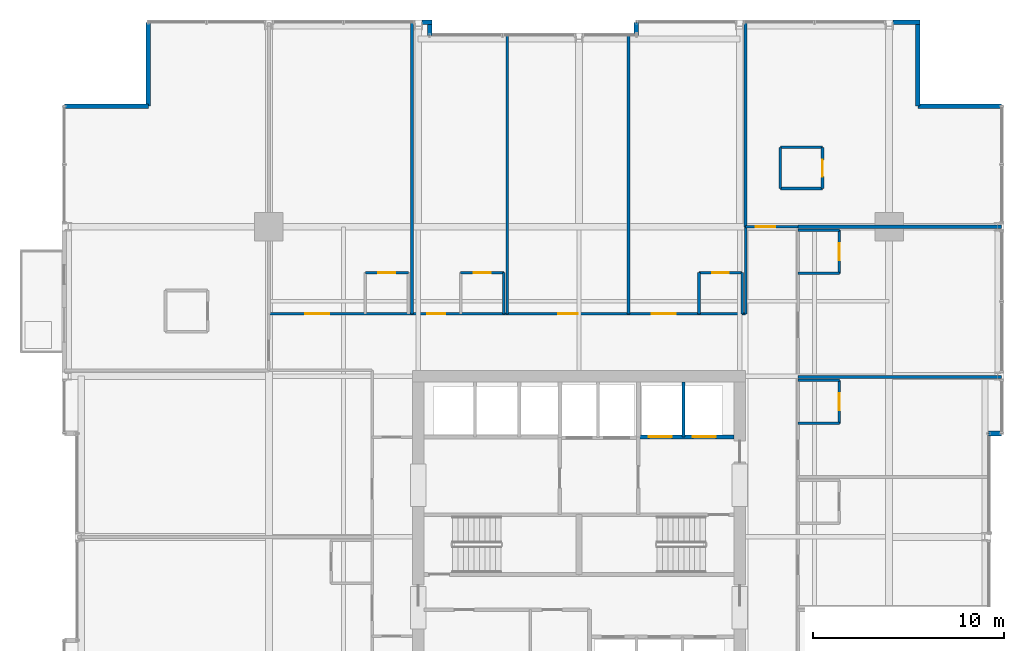
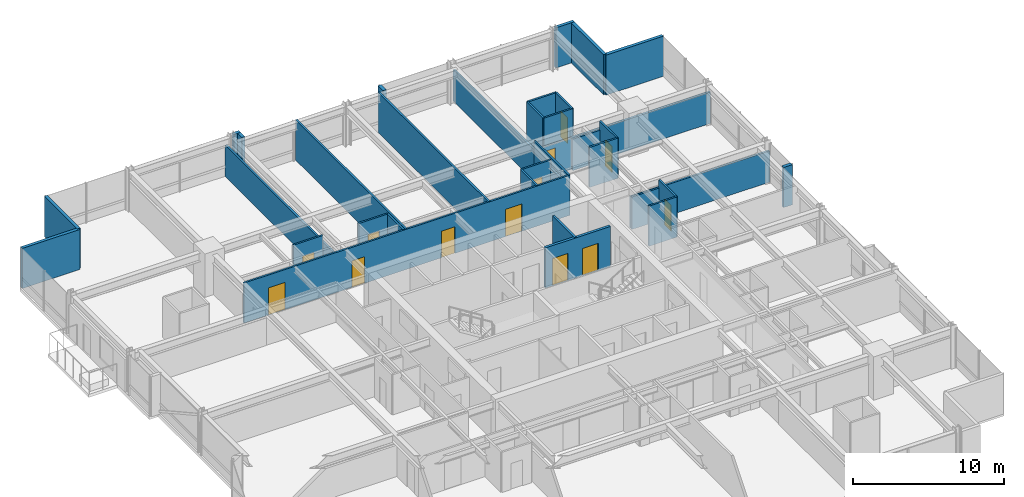
# One storey, part 31 of 35: 36 walls, 13 doors, 13 openings.
"""IFC4 building model written with IfcOpenShell, lengths in metres."""

from ifc_helpers import new_model, si_unit, direction, frame, frame_2d, origin, place, context, subcontext, project, spatial, rectangle, extrude, material, layer, layer_set, type_object, element, fill, save


model = new_model("IFC4")

# Units and contexts
model_context = context("Model", 3, precision=1e-05, world=origin(), true_north=direction((0.0, 1.0)))
body_context = subcontext(model_context, "Body", "Model", "MODEL_VIEW")
ifc_project = project(units=[si_unit("LENGTHUNIT", "METRE"), si_unit("AREAUNIT", "SQUARE_METRE"), si_unit("VOLUMEUNIT", "CUBIC_METRE"), si_unit("PLANEANGLEUNIT", "RADIAN"), si_unit("MASSUNIT", "GRAM", prefix="KILO")], contexts=[model_context])

# Site, building, storey
site_placement = place(None, origin())
site = spatial("IfcSite", under=ifc_project, at=site_placement, CompositionType="ELEMENT")
building_placement = place(site_placement, origin())
building = spatial("IfcBuilding", under=site, at=building_placement, Name="Drelvath Grand Hotel", CompositionType="ELEMENT")
storey_placement = place(building_placement, frame((0.0, 0.0, 123.300048828125)))
storey = spatial("IfcBuildingStorey", under=building, at=storey_placement, Name="L31", CompositionType="ELEMENT", Elevation=123.300048828125)

# Wall, openings, doors
ifc_material_1 = material(Name="Concrete C40/50", Category="concrete")
ifc_layer_1 = layer(ifc_material_1, 0.199951171875)
ifc_layer_set_1 = layer_set([ifc_layer_1], Name="Concrete C40/50")
wall_type_1 = type_object("IfcWallType", Name="Core Hoistway Fire Wall 200", PredefinedType="SOLIDWALL", material=ifc_layer_set_1)
wall_1_placement = place(storey_placement, frame((3.10009765625, 32.219970703125, 0.0), z_axis=(0.0, 0.0, 1.0), x_axis=(1.0, 0.0, 0.0)))
wall_1 = element("IfcWall", 1, at=wall_1_placement, inside=storey, type_object=wall_type_1, Name="L31 FSAE Hoistway Front Wall", PredefinedType="SOLIDWALL", context=body_context, shape_type="SweptSolid", body=[
    extrude(rectangle(XDim=5.0, YDim=0.199951171875, at=frame_2d((2.5, 0.0))), origin(), (0.0, 0.0, 1.0), 3.239990234375),
])
opening_1_placement = place(wall_1_placement, frame((0.550048828125, 0.0, 0.0)))
opening_1 = element("IfcOpeningElement", 2, at=opening_1_placement, cuts=wall_1, Name="Opening LD-FSAE-1", PredefinedType="OPENING", context=body_context, shape_type="SweptSolid", body=[
    extrude(rectangle(XDim=1.199951171875, YDim=2.199951171875, at=frame_2d((0.60009765625, 1.10009765625))), frame((0.0, 0.10986328125, 0.0), z_axis=(0.0, -1.0, 0.0), x_axis=(1.0, 0.0, 0.0)), (0.0, 0.0, 1.0), 0.219970703125),
])
opening_2_placement = place(wall_1_placement, frame((2.85009765625, 0.0, 0.0)))
opening_2 = element("IfcOpeningElement", 3, at=opening_2_placement, cuts=wall_1, Name="Opening LD-FSAE-2", PredefinedType="OPENING", context=body_context, shape_type="SweptSolid", body=[
    extrude(rectangle(XDim=1.199951171875, YDim=2.199951171875, at=frame_2d((0.60009765625, 1.10009765625))), frame((0.0, 0.10986328125, 0.0), z_axis=(0.0, -1.0, 0.0), x_axis=(1.0, 0.0, 0.0)), (0.0, 0.0, 1.0), 0.219970703125),
])
ifc_material_2 = material(Name="Stainless Steel S355", Category="steel")
door_type_1 = type_object("IfcDoorType", Name="FSAE Lift Sliding Landing Door 1200x2200", OperationType="NOTDEFINED", PredefinedType="DOOR", material=ifc_material_2)
door_1_placement = place(opening_1_placement, origin())
door_1 = element("IfcDoor", 4, at=door_1_placement, inside=storey, type_object=door_type_1, Name="L31 Lift FSAE-1 Landing Door", OperationType="SLIDING_TO_LEFT", OverallHeight=2.199951171875, OverallWidth=1.199951171875, PredefinedType="DOOR", context=body_context, shape_type="SweptSolid", body=[
    extrude(rectangle(XDim=1.199951171875, YDim=2.199951171875, at=frame_2d((0.60009765625, 1.10009765625))), frame((0.0, 0.02490234375, 0.0), z_axis=(0.0, -1.0, 0.0), x_axis=(1.0, 0.0, 0.0)), (0.0, 0.0, 1.0), 0.050048828125),
])
fill(opening_1, door_1)
door_2_placement = place(opening_2_placement, origin())
door_2 = element("IfcDoor", 5, at=door_2_placement, inside=storey, type_object=door_type_1, Name="L31 Lift FSAE-2 Landing Door", OperationType="SLIDING_TO_LEFT", OverallHeight=2.199951171875, OverallWidth=1.199951171875, PredefinedType="DOOR", context=body_context, shape_type="SweptSolid", body=[
    extrude(rectangle(XDim=1.199951171875, YDim=2.199951171875, at=frame_2d((0.60009765625, 1.10009765625))), frame((0.0, 0.02490234375, 0.0), z_axis=(0.0, -1.0, 0.0), x_axis=(1.0, 0.0, 0.0)), (0.0, 0.0, 1.0), 0.050048828125),
])
fill(opening_2, door_2)

# Walls
ifc_material_3 = material(Name="Gypsum Fireboard Partition")
ifc_layer_2 = layer(ifc_material_3, 0.1650390625)
ifc_layer_set_2 = layer_set([ifc_layer_2], Name="Gypsum Fireboard Partition")
wall_type_2 = type_object("IfcWallType", Name="Core Shaft Partition 165", PredefinedType="PARTITIONING", material=ifc_layer_set_2)
wall_2_placement = place(storey_placement, frame((5.449951171875, 32.219970703125, 0.0), z_axis=(0.0, 0.0, 1.0), x_axis=(0.0, 1.0, 0.0)))
element("IfcWall", 6, at=wall_2_placement, inside=storey, type_object=wall_type_2, Name="L31 FSAE Hoistway Divider", PredefinedType="PARTITIONING", context=body_context, shape_type="SweptSolid", body=[
    extrude(rectangle(XDim=2.880126953125, YDim=0.1650390625, at=frame_2d((1.43994140625, 0.0))), origin(), (0.0, 0.0, 1.0), 3.239990234375),
])
ifc_layer_3 = layer(ifc_material_3, 0.135009765625)
ifc_layer_set_3 = layer_set([ifc_layer_3], Name="Gypsum Fireboard Partition")
wall_type_3 = type_object("IfcWallType", Name="Corridor Fire Barrier Wall 135", PredefinedType="PARTITIONING", material=ifc_layer_set_3)
wall_3_placement = place(storey_placement, frame((8.699951171875, 38.64990234375, 0.0), z_axis=(0.0, 0.0, 1.0), x_axis=(0.0, 1.0, 0.0)))
element("IfcWall", 7, at=wall_3_placement, inside=storey, type_object=wall_type_3, Name="L31 East Spine North Inner Wall", PredefinedType="PARTITIONING", context=body_context, shape_type="SweptSolid", body=[
    extrude(rectangle(XDim=4.550048828125, YDim=0.135009765625, at=frame_2d((2.27490234375, 0.0))), origin(), (0.0, 0.0, 1.0), 3.239990234375),
])

# Wall, openings, doors
wall_4_placement = place(storey_placement, frame((-16.199951171875, 38.64990234375, 0.0), z_axis=(0.0, 0.0, 1.0), x_axis=(1.0, 0.0, 0.0)))
wall_4 = element("IfcWall", 8, at=wall_4_placement, inside=storey, type_object=wall_type_3, Name="L31 North Stub Corridor Wall", PredefinedType="PARTITIONING", context=body_context, shape_type="SweptSolid", body=[
    extrude(rectangle(XDim=24.89990234375, YDim=0.135009765625, at=frame_2d((12.449951171875, 0.0))), origin(), (0.0, 0.0, 1.0), 3.239990234375),
])
opening_3_placement = place(wall_4_placement, frame((1.889892578125, 0.0, 0.0)))
opening_3 = element("IfcOpeningElement", 9, at=opening_3_placement, cuts=wall_4, Name="Opening D-T2G4-034", PredefinedType="OPENING", context=body_context, shape_type="SweptSolid", body=[
    extrude(rectangle(XDim=1.260009765625, YDim=2.199951171875, at=frame_2d((0.6298828125, 1.10009765625))), frame((0.0, 0.077392578125, 0.0), z_axis=(0.0, -1.0, 0.0), x_axis=(1.0, 0.0, 0.0)), (0.0, 0.0, 1.0), 0.155029296875),
])
opening_4_placement = place(wall_4_placement, frame((8.264892578125, 0.0, 0.0)))
opening_4 = element("IfcOpeningElement", 10, at=opening_4_placement, cuts=wall_4, Name="Opening D-T2G4-036", PredefinedType="OPENING", context=body_context, shape_type="SweptSolid", body=[
    extrude(rectangle(XDim=0.9599609375, YDim=2.14990234375, at=frame_2d((0.47998046875, 1.074951171875))), frame((0.0, 0.077392578125, 0.0), z_axis=(0.0, -1.0, 0.0), x_axis=(1.0, 0.0, 0.0)), (0.0, 0.0, 1.0), 0.155029296875),
])
opening_5_placement = place(wall_4_placement, frame((15.10498046875, 0.0, 0.0)))
opening_5 = element("IfcOpeningElement", 11, at=opening_5_placement, cuts=wall_4, Name="Opening D-T2G4-037", PredefinedType="OPENING", context=body_context, shape_type="SweptSolid", body=[
    extrude(rectangle(XDim=1.02001953125, YDim=2.14990234375, at=frame_2d((0.510009765625, 1.074951171875))), frame((0.0, 0.077392578125, 0.0), z_axis=(0.0, -1.0, 0.0), x_axis=(1.0, 0.0, 0.0)), (0.0, 0.0, 1.0), 0.155029296875),
])
opening_6_placement = place(wall_4_placement, frame((19.9951171875, 0.0, 0.0)))
opening_6 = element("IfcOpeningElement", 12, at=opening_6_placement, cuts=wall_4, Name="Opening D-T2G4-039", PredefinedType="OPENING", context=body_context, shape_type="SweptSolid", body=[
    extrude(rectangle(XDim=1.260009765625, YDim=2.199951171875, at=frame_2d((0.6298828125, 1.10009765625))), frame((0.0, 0.077392578125, 0.0), z_axis=(0.0, -1.0, 0.0), x_axis=(1.0, 0.0, 0.0)), (0.0, 0.0, 1.0), 0.155029296875),
])
ifc_material_4 = material(Name="Hardwood Walnut Timber", Category="wood")
door_type_2 = type_object("IfcDoorType", Name="Amenity Meeting Fire Door 1020x2150", OperationType="NOTDEFINED", PredefinedType="DOOR", material=ifc_material_4)
door_3_placement = place(opening_5_placement, origin())
door_3 = element("IfcDoor", 13, at=door_3_placement, inside=storey, type_object=door_type_2, Name="L31 Private Dining Salon Entry Door", OperationType="SINGLE_SWING_RIGHT", OverallHeight=2.14990234375, OverallWidth=1.02001953125, PredefinedType="DOOR", context=body_context, shape_type="SweptSolid", body=[
    extrude(rectangle(XDim=1.02001953125, YDim=2.14990234375, at=frame_2d((0.510009765625, 1.074951171875))), frame((0.0, 0.02490234375, 0.0), z_axis=(0.0, -1.0, 0.0), x_axis=(1.0, 0.0, 0.0)), (0.0, 0.0, 1.0), 0.050048828125),
])
fill(opening_5, door_3)
door_type_3 = type_object("IfcDoorType", Name="Guestroom Entrance Fire Door 960x2150", OperationType="NOTDEFINED", PredefinedType="DOOR", material=ifc_material_4)
door_4_placement = place(opening_4_placement, origin())
door_4 = element("IfcDoor", 14, at=door_4_placement, inside=storey, type_object=door_type_3, Name="L31 King Guest Room Entry Door", OperationType="SINGLE_SWING_LEFT", OverallHeight=2.14990234375, OverallWidth=0.9599609375, PredefinedType="DOOR", context=body_context, shape_type="SweptSolid", body=[
    extrude(rectangle(XDim=0.9599609375, YDim=2.14990234375, at=frame_2d((0.47998046875, 1.074951171875))), frame((0.0, 0.02490234375, 0.0), z_axis=(0.0, -1.0, 0.0), x_axis=(1.0, 0.0, 0.0)), (0.0, 0.0, 1.0), 0.050048828125),
])
fill(opening_4, door_4)
door_type_4 = type_object("IfcDoorType", Name="Suite Entrance Fire Door 1260x2200", OperationType="NOTDEFINED", PredefinedType="DOOR", material=ifc_material_4)
door_5_placement = place(opening_3_placement, origin())
door_5 = element("IfcDoor", 15, at=door_5_placement, inside=storey, type_object=door_type_4, Name="L31 Corner Suite Entry Door", OperationType="SINGLE_SWING_LEFT", OverallHeight=2.199951171875, OverallWidth=1.260009765625, PredefinedType="DOOR", context=body_context, shape_type="SweptSolid", body=[
    extrude(rectangle(XDim=1.260009765625, YDim=2.199951171875, at=frame_2d((0.6298828125, 1.10009765625))), frame((0.0, 0.02490234375, 0.0), z_axis=(0.0, -1.0, 0.0), x_axis=(1.0, 0.0, 0.0)), (0.0, 0.0, 1.0), 0.050048828125),
])
fill(opening_3, door_5)
door_6_placement = place(opening_6_placement, origin())
door_6 = element("IfcDoor", 16, at=door_6_placement, inside=storey, type_object=door_type_4, Name="L31 Corner Suite Entry Door", OperationType="SINGLE_SWING_RIGHT", OverallHeight=2.199951171875, OverallWidth=1.260009765625, PredefinedType="DOOR", context=body_context, shape_type="SweptSolid", body=[
    extrude(rectangle(XDim=1.260009765625, YDim=2.199951171875, at=frame_2d((0.6298828125, 1.10009765625))), frame((0.0, 0.02490234375, 0.0), z_axis=(0.0, -1.0, 0.0), x_axis=(1.0, 0.0, 0.0)), (0.0, 0.0, 1.0), 0.050048828125),
])
fill(opening_6, door_6)

# Wall, opening, door
wall_5_placement = place(storey_placement, frame((8.699951171875, 43.199951171875, 0.0), z_axis=(0.0, 0.0, 1.0), x_axis=(1.0, 0.0, 0.0)))
wall_5 = element("IfcWall", 17, at=wall_5_placement, inside=storey, type_object=wall_type_3, Name="L31 East Spine North End", PredefinedType="PARTITIONING", context=body_context, shape_type="SweptSolid", body=[
    extrude(rectangle(XDim=2.75, YDim=0.135009765625, at=frame_2d((1.375, 0.0))), origin(), (0.0, 0.0, 1.0), 2.529541015625),
])
opening_7_placement = place(wall_5_placement, frame((0.52001953125, 0.0, 0.0)))
opening_7 = element("IfcOpeningElement", 18, at=opening_7_placement, cuts=wall_5, Name="Opening D-T2G4-026", PredefinedType="OPENING", context=body_context, shape_type="SweptSolid", body=[
    extrude(rectangle(XDim=1.02001953125, YDim=2.14990234375, at=frame_2d((0.510009765625, 1.074951171875))), frame((0.0, 0.077392578125, 0.0), z_axis=(0.0, -1.0, 0.0), x_axis=(1.0, 0.0, 0.0)), (0.0, 0.0, 1.0), 0.155029296875),
])
door_7_placement = place(opening_7_placement, origin())
door_7 = element("IfcDoor", 19, at=door_7_placement, inside=storey, type_object=door_type_2, Name="L31 Corner Suite Entry Door", OperationType="SINGLE_SWING_LEFT", OverallHeight=2.14990234375, OverallWidth=1.02001953125, PredefinedType="DOOR", context=body_context, shape_type="SweptSolid", body=[
    extrude(rectangle(XDim=1.02001953125, YDim=2.14990234375, at=frame_2d((0.510009765625, 1.074951171875))), frame((0.0, 0.02490234375, 0.0), z_axis=(0.0, -1.0, 0.0), x_axis=(1.0, 0.0, 0.0)), (0.0, 0.0, 1.0), 0.050048828125),
])
fill(opening_7, door_7)

# Walls
ifc_material_5 = material(Name="Moisture-Resistant Gypsum Board")
ifc_layer_4 = layer(ifc_material_5, 0.139892578125)
ifc_layer_set_4 = layer_set([ifc_layer_4], Name="Moisture-Resistant Gypsum Board")
wall_type_4 = type_object("IfcWallType", Name="En-Suite Plumbing Wall 140", PredefinedType="PLUMBINGWALL", material=ifc_layer_set_4)
for number, where, z_axis, x_axis, name in (
    (20, (10.52001953125, 45.199951171875, 0.0), (0.0, 0.0, 1.0), (1.0, 0.0, 0.0), "L31 Corner En-Suite South"),
    (21, (10.52001953125, 47.35009765625, 0.0), (0.0, 0.0, 1.0), (1.0, 0.0, 0.0), "L31 Corner En-Suite North"),
):
    element("IfcWall", number, at=place(storey_placement, frame(where, z_axis=z_axis, x_axis=x_axis)), inside=storey, type_object=wall_type_4, Name=name, PredefinedType="PLUMBINGWALL", context=body_context, shape_type="SweptSolid", body=[
        extrude(rectangle(XDim=2.199951171875, YDim=0.139892578125, at=frame_2d((1.10009765625, 0.0))), origin(), (0.0, 0.0, 1.0), 3.239990234375),
    ])
wall_6_placement = place(storey_placement, frame((10.52001953125, 45.199951171875, 0.0), z_axis=(0.0, 0.0, 1.0), x_axis=(0.0, 1.0, 0.0)))
element("IfcWall", 22, at=wall_6_placement, inside=storey, type_object=wall_type_4, Name="L31 Corner En-Suite West", PredefinedType="PLUMBINGWALL", context=body_context, shape_type="SweptSolid", body=[
    extrude(rectangle(XDim=2.150146484375, YDim=0.139892578125, at=frame_2d((1.0751953125, 0.0))), origin(), (0.0, 0.0, 1.0), 3.239990234375),
])

# Wall, opening, door
wall_7_placement = place(storey_placement, frame((12.719970703125, 45.199951171875, 0.0), z_axis=(0.0, 0.0, 1.0), x_axis=(0.0, 1.0, 0.0)))
wall_7 = element("IfcWall", 23, at=wall_7_placement, inside=storey, type_object=wall_type_4, Name="L31 Corner En-Suite East", PredefinedType="PLUMBINGWALL", context=body_context, shape_type="SweptSolid", body=[
    extrude(rectangle(XDim=2.150146484375, YDim=0.139892578125, at=frame_2d((1.0751953125, 0.0))), origin(), (0.0, 0.0, 1.0), 3.239990234375),
])
opening_8_placement = place(wall_7_placement, frame((0.6201171875, 0.0, 0.0)))
opening_8 = element("IfcOpeningElement", 24, at=opening_8_placement, cuts=wall_7, Name="Opening D-T2G4-025", PredefinedType="OPENING", context=body_context, shape_type="SweptSolid", body=[
    extrude(rectangle(XDim=0.8798828125, YDim=2.10009765625, at=frame_2d((0.43994140625, 1.050048828125))), frame((0.0, 0.079833984375, 0.0), z_axis=(0.0, -1.0, 0.0), x_axis=(1.0, 0.0, 0.0)), (0.0, 0.0, 1.0), 0.159912109375),
])
door_type_5 = type_object("IfcDoorType", Name="En-Suite Bathroom Door 880x2100", OperationType="NOTDEFINED", PredefinedType="DOOR", material=ifc_material_4)
door_8_placement = place(opening_8_placement, origin())
door_8 = element("IfcDoor", 25, at=door_8_placement, inside=storey, type_object=door_type_5, Name="L31 Corner En-Suite Door", OperationType="SINGLE_SWING_RIGHT", OverallHeight=2.10009765625, OverallWidth=0.8798828125, PredefinedType="DOOR", context=body_context, shape_type="SweptSolid", body=[
    extrude(rectangle(XDim=0.8798828125, YDim=2.10009765625, at=frame_2d((0.43994140625, 1.050048828125))), frame((0.0, 0.02490234375, 0.0), z_axis=(0.0, -1.0, 0.0), x_axis=(1.0, 0.0, 0.0)), (0.0, 0.0, 1.0), 0.050048828125),
])
fill(opening_8, door_8)

wall_8_placement = place(storey_placement, frame((-11.159912109375, 40.800048828125, 0.0), z_axis=(0.0, 0.0, 1.0), x_axis=(1.0, 0.0, 0.0)))
wall_8 = element("IfcWall", 26, at=wall_8_placement, inside=storey, type_object=wall_type_4, Name="L31 En-Suite Front Wall", PredefinedType="PLUMBINGWALL", context=body_context, shape_type="SweptSolid", body=[
    extrude(rectangle(XDim=2.25, YDim=0.139892578125, at=frame_2d((1.125, 0.0))), origin(), (0.0, 0.0, 1.0), 3.239990234375),
])
opening_9_placement = place(wall_8_placement, frame((0.68505859375, 0.0, 0.0)))
opening_9 = element("IfcOpeningElement", 27, at=opening_9_placement, cuts=wall_8, Name="Opening D-T2G4-033", PredefinedType="OPENING", context=body_context, shape_type="SweptSolid", body=[
    extrude(rectangle(XDim=0.8798828125, YDim=2.10009765625, at=frame_2d((0.43994140625, 1.050048828125))), frame((0.0, 0.079833984375, 0.0), z_axis=(0.0, -1.0, 0.0), x_axis=(1.0, 0.0, 0.0)), (0.0, 0.0, 1.0), 0.159912109375),
])
door_9_placement = place(opening_9_placement, origin())
door_9 = element("IfcDoor", 28, at=door_9_placement, inside=storey, type_object=door_type_5, Name="L31 En-Suite Bathroom Door", OperationType="SINGLE_SWING_RIGHT", OverallHeight=2.10009765625, OverallWidth=0.8798828125, PredefinedType="DOOR", context=body_context, shape_type="SweptSolid", body=[
    extrude(rectangle(XDim=0.8798828125, YDim=2.10009765625, at=frame_2d((0.43994140625, 1.050048828125))), frame((0.0, 0.02490234375, 0.0), z_axis=(0.0, -1.0, 0.0), x_axis=(1.0, 0.0, 0.0)), (0.0, 0.0, 1.0), 0.050048828125),
])
fill(opening_9, door_9)

# Wall
wall_9_placement = place(storey_placement, frame((-3.929931640625, 38.64990234375, 0.0), z_axis=(0.0, 0.0, 1.0), x_axis=(0.0, 1.0, 0.0)))
element("IfcWall", 29, at=wall_9_placement, inside=storey, type_object=wall_type_4, Name="L31 En-Suite Right Wall", PredefinedType="PLUMBINGWALL", context=body_context, shape_type="SweptSolid", body=[
    extrude(rectangle(XDim=2.150146484375, YDim=0.139892578125, at=frame_2d((1.0751953125, 0.0))), origin(), (0.0, 0.0, 1.0), 3.239990234375),
])

# Wall, opening, door
wall_10_placement = place(storey_placement, frame((-6.179931640625, 40.800048828125, 0.0), z_axis=(0.0, 0.0, 1.0), x_axis=(1.0, 0.0, 0.0)))
wall_10 = element("IfcWall", 30, at=wall_10_placement, inside=storey, type_object=wall_type_4, Name="L31 En-Suite Front Wall", PredefinedType="PLUMBINGWALL", context=body_context, shape_type="SweptSolid", body=[
    extrude(rectangle(XDim=2.25, YDim=0.139892578125, at=frame_2d((1.125, 0.0))), origin(), (0.0, 0.0, 1.0), 3.239990234375),
])
opening_10_placement = place(wall_10_placement, frame((0.68505859375, 0.0, 0.0)))
opening_10 = element("IfcOpeningElement", 31, at=opening_10_placement, cuts=wall_10, Name="Opening D-T2G4-035", PredefinedType="OPENING", context=body_context, shape_type="SweptSolid", body=[
    extrude(rectangle(XDim=0.8798828125, YDim=2.10009765625, at=frame_2d((0.43994140625, 1.050048828125))), frame((0.0, 0.079833984375, 0.0), z_axis=(0.0, -1.0, 0.0), x_axis=(1.0, 0.0, 0.0)), (0.0, 0.0, 1.0), 0.159912109375),
])
door_10_placement = place(opening_10_placement, origin())
door_10 = element("IfcDoor", 32, at=door_10_placement, inside=storey, type_object=door_type_5, Name="L31 En-Suite Bathroom Door", OperationType="SINGLE_SWING_RIGHT", OverallHeight=2.10009765625, OverallWidth=0.8798828125, PredefinedType="DOOR", context=body_context, shape_type="SweptSolid", body=[
    extrude(rectangle(XDim=0.8798828125, YDim=2.10009765625, at=frame_2d((0.43994140625, 1.050048828125))), frame((0.0, 0.02490234375, 0.0), z_axis=(0.0, -1.0, 0.0), x_axis=(1.0, 0.0, 0.0)), (0.0, 0.0, 1.0), 0.050048828125),
])
fill(opening_10, door_10)

# Walls
wall_11_placement = place(storey_placement, frame((6.27001953125, 38.64990234375, 0.0), z_axis=(0.0, 0.0, 1.0), x_axis=(0.0, 1.0, 0.0)))
element("IfcWall", 33, at=wall_11_placement, inside=storey, type_object=wall_type_4, Name="L31 En-Suite Left Wall", PredefinedType="PLUMBINGWALL", context=body_context, shape_type="SweptSolid", body=[
    extrude(rectangle(XDim=2.150146484375, YDim=0.139892578125, at=frame_2d((1.0751953125, 0.0))), origin(), (0.0, 0.0, 1.0), 3.239990234375),
])
wall_12_placement = place(storey_placement, frame((8.52001953125, 38.64990234375, 0.0), z_axis=(0.0, 0.0, 1.0), x_axis=(0.0, 1.0, 0.0)))
element("IfcWall", 34, at=wall_12_placement, inside=storey, type_object=wall_type_4, Name="L31 En-Suite Right Wall", PredefinedType="PLUMBINGWALL", context=body_context, shape_type="SweptSolid", body=[
    extrude(rectangle(XDim=2.150146484375, YDim=0.139892578125, at=frame_2d((1.0751953125, 0.0))), origin(), (0.0, 0.0, 1.0), 2.617431640625),
])

# Wall, opening, door
wall_13_placement = place(storey_placement, frame((6.27001953125, 40.800048828125, 0.0), z_axis=(0.0, 0.0, 1.0), x_axis=(1.0, 0.0, 0.0)))
wall_13 = element("IfcWall", 35, at=wall_13_placement, inside=storey, type_object=wall_type_4, Name="L31 En-Suite Front Wall", PredefinedType="PLUMBINGWALL", context=body_context, shape_type="SweptSolid", body=[
    extrude(rectangle(XDim=2.25, YDim=0.139892578125, at=frame_2d((1.125, 0.0))), origin(), (0.0, 0.0, 1.0), 3.239990234375),
])
opening_11_placement = place(wall_13_placement, frame((0.68505859375, 0.0, 0.0)))
opening_11 = element("IfcOpeningElement", 36, at=opening_11_placement, cuts=wall_13, Name="Opening D-T2G4-038", PredefinedType="OPENING", context=body_context, shape_type="SweptSolid", body=[
    extrude(rectangle(XDim=0.8798828125, YDim=2.10009765625, at=frame_2d((0.43994140625, 1.050048828125))), frame((0.0, 0.079833984375, 0.0), z_axis=(0.0, -1.0, 0.0), x_axis=(1.0, 0.0, 0.0)), (0.0, 0.0, 1.0), 0.159912109375),
])
door_11_placement = place(opening_11_placement, origin())
door_11 = element("IfcDoor", 37, at=door_11_placement, inside=storey, type_object=door_type_5, Name="L31 En-Suite Bathroom Door", OperationType="SINGLE_SWING_LEFT", OverallHeight=2.10009765625, OverallWidth=0.8798828125, PredefinedType="DOOR", context=body_context, shape_type="SweptSolid", body=[
    extrude(rectangle(XDim=0.8798828125, YDim=2.10009765625, at=frame_2d((0.43994140625, 1.050048828125))), frame((0.0, 0.02490234375, 0.0), z_axis=(0.0, -1.0, 0.0), x_axis=(1.0, 0.0, 0.0)), (0.0, 0.0, 1.0), 0.050048828125),
])
fill(opening_11, door_11)

# Walls
wall_14_placement = place(storey_placement, frame((11.449951171875, 32.931396484375, 0.0), z_axis=(0.0, 0.0, 1.0), x_axis=(1.0, 0.0, 0.0)))
element("IfcWall", 38, at=wall_14_placement, inside=storey, type_object=wall_type_4, Name="L31 En-Suite Left Wall", PredefinedType="PLUMBINGWALL", context=body_context, shape_type="SweptSolid", body=[
    extrude(rectangle(XDim=2.150146484375, YDim=0.139892578125, at=frame_2d((1.0751953125, 0.0))), origin(), (0.0, 0.0, 1.0), 3.239990234375),
])
wall_15_placement = place(storey_placement, frame((11.449951171875, 35.181396484375, 0.0), z_axis=(0.0, 0.0, 1.0), x_axis=(1.0, 0.0, 0.0)))
element("IfcWall", 39, at=wall_15_placement, inside=storey, type_object=wall_type_4, Name="L31 En-Suite Right Wall", PredefinedType="PLUMBINGWALL", context=body_context, shape_type="SweptSolid", body=[
    extrude(rectangle(XDim=2.150146484375, YDim=0.139892578125, at=frame_2d((1.0751953125, 0.0))), origin(), (0.0, 0.0, 1.0), 2.617431640625),
])

# Wall, opening, door
wall_16_placement = place(storey_placement, frame((13.60009765625, 32.931396484375, 0.0), z_axis=(0.0, 0.0, 1.0), x_axis=(0.0, 1.0, 0.0)))
wall_16 = element("IfcWall", 40, at=wall_16_placement, inside=storey, type_object=wall_type_4, Name="L31 En-Suite Front Wall", PredefinedType="PLUMBINGWALL", context=body_context, shape_type="SweptSolid", body=[
    extrude(rectangle(XDim=2.25, YDim=0.139892578125, at=frame_2d((1.125, 0.0))), origin(), (0.0, 0.0, 1.0), 3.239990234375),
])
opening_12_placement = place(wall_16_placement, frame((0.68505859375, 0.0, 0.0)))
opening_12 = element("IfcOpeningElement", 41, at=opening_12_placement, cuts=wall_16, Name="Opening D-T2G4-046", PredefinedType="OPENING", context=body_context, shape_type="SweptSolid", body=[
    extrude(rectangle(XDim=0.8798828125, YDim=2.10009765625, at=frame_2d((0.43994140625, 1.050048828125))), frame((0.0, 0.079833984375, 0.0), z_axis=(0.0, -1.0, 0.0), x_axis=(1.0, 0.0, 0.0)), (0.0, 0.0, 1.0), 0.159912109375),
])
door_12_placement = place(opening_12_placement, origin())
door_12 = element("IfcDoor", 42, at=door_12_placement, inside=storey, type_object=door_type_5, Name="L31 En-Suite Bathroom Door", OperationType="SINGLE_SWING_LEFT", OverallHeight=2.10009765625, OverallWidth=0.8798828125, PredefinedType="DOOR", context=body_context, shape_type="SweptSolid", body=[
    extrude(rectangle(XDim=0.8798828125, YDim=2.10009765625, at=frame_2d((0.43994140625, 1.050048828125))), frame((0.0, 0.02490234375, 0.0), z_axis=(0.0, -1.0, 0.0), x_axis=(1.0, 0.0, 0.0)), (0.0, 0.0, 1.0), 0.050048828125),
])
fill(opening_12, door_12)

# Walls
wall_17_placement = place(storey_placement, frame((11.449951171875, 40.77001953125, 0.0), z_axis=(0.0, 0.0, 1.0), x_axis=(1.0, 0.0, 0.0)))
element("IfcWall", 43, at=wall_17_placement, inside=storey, type_object=wall_type_4, Name="L31 En-Suite Left Wall", PredefinedType="PLUMBINGWALL", context=body_context, shape_type="SweptSolid", body=[
    extrude(rectangle(XDim=2.150146484375, YDim=0.139892578125, at=frame_2d((1.0751953125, 0.0))), origin(), (0.0, 0.0, 1.0), 3.239990234375),
])
wall_18_placement = place(storey_placement, frame((11.449951171875, 43.02001953125, 0.0), z_axis=(0.0, 0.0, 1.0), x_axis=(1.0, 0.0, 0.0)))
element("IfcWall", 44, at=wall_18_placement, inside=storey, type_object=wall_type_4, Name="L31 En-Suite Right Wall", PredefinedType="PLUMBINGWALL", context=body_context, shape_type="SweptSolid", body=[
    extrude(rectangle(XDim=2.150146484375, YDim=0.139892578125, at=frame_2d((1.0751953125, 0.0))), origin(), (0.0, 0.0, 1.0), 2.529541015625),
])

# Wall, opening, door
wall_19_placement = place(storey_placement, frame((13.60009765625, 40.77001953125, 0.0), z_axis=(0.0, 0.0, 1.0), x_axis=(0.0, 1.0, 0.0)))
wall_19 = element("IfcWall", 45, at=wall_19_placement, inside=storey, type_object=wall_type_4, Name="L31 En-Suite Front Wall", PredefinedType="PLUMBINGWALL", context=body_context, shape_type="SweptSolid", body=[
    extrude(rectangle(XDim=2.25, YDim=0.139892578125, at=frame_2d((1.125, 0.0))), origin(), (0.0, 0.0, 1.0), 3.239990234375),
])
opening_13_placement = place(wall_19_placement, frame((0.68505859375, 0.0, 0.0)))
opening_13 = element("IfcOpeningElement", 46, at=opening_13_placement, cuts=wall_19, Name="Opening D-T2G4-048", PredefinedType="OPENING", context=body_context, shape_type="SweptSolid", body=[
    extrude(rectangle(XDim=0.8798828125, YDim=2.10009765625, at=frame_2d((0.43994140625, 1.050048828125))), frame((0.0, 0.079833984375, 0.0), z_axis=(0.0, -1.0, 0.0), x_axis=(1.0, 0.0, 0.0)), (0.0, 0.0, 1.0), 0.159912109375),
])
door_13_placement = place(opening_13_placement, origin())
door_13 = element("IfcDoor", 47, at=door_13_placement, inside=storey, type_object=door_type_5, Name="L31 En-Suite Bathroom Door", OperationType="SINGLE_SWING_LEFT", OverallHeight=2.10009765625, OverallWidth=0.8798828125, PredefinedType="DOOR", context=body_context, shape_type="SweptSolid", body=[
    extrude(rectangle(XDim=0.8798828125, YDim=2.10009765625, at=frame_2d((0.43994140625, 1.050048828125))), frame((0.0, 0.02490234375, 0.0), z_axis=(0.0, -1.0, 0.0), x_axis=(1.0, 0.0, 0.0)), (0.0, 0.0, 1.0), 0.050048828125),
])
fill(opening_13, door_13)

# Walls
ifc_material_6 = material(Name="Gypsum Acoustic Partition")
ifc_layer_5 = layer(ifc_material_6, 0.14990234375)
ifc_layer_set_5 = layer_set([ifc_layer_5], Name="Gypsum Acoustic Partition")
wall_type_5 = type_object("IfcWallType", Name="Guestroom Demising Wall 150", PredefinedType="PARTITIONING", material=ifc_layer_set_5)
wall_20_placement = place(storey_placement, frame((-8.72998046875, 38.64990234375, 0.0), z_axis=(0.0, 0.0, 1.0), x_axis=(0.0, 1.0, 0.0)))
element("IfcWall", 48, at=wall_20_placement, inside=storey, type_object=wall_type_5, Name="L31 North Demising 1", PredefinedType="PARTITIONING", context=body_context, shape_type="SweptSolid", body=[
    extrude(rectangle(XDim=15.22998046875, YDim=0.14990234375, at=frame_2d((7.614990234375, 0.0))), origin(), (0.0, 0.0, 1.0), 2.529541015625),
])
for number, where, z_axis, x_axis, name in (
    (49, (-3.75, 38.64990234375, 0.0), (0.0, 0.0, 1.0), (0.0, 1.0, 0.0), "L31 North Demising 2"),
    (50, (2.580078125, 38.64990234375, 0.0), (0.0, 0.0, 1.0), (0.0, 1.0, 0.0), "L31 North Demising 3"),
):
    element("IfcWall", number, at=place(storey_placement, frame(where, z_axis=z_axis, x_axis=x_axis)), inside=storey, type_object=wall_type_5, Name=name, PredefinedType="PARTITIONING", context=body_context, shape_type="SweptSolid", body=[
        extrude(rectangle(XDim=14.550048828125, YDim=0.14990234375, at=frame_2d((7.27490234375, 0.0))), origin(), (0.0, 0.0, 1.0), 3.239990234375),
    ])
wall_21_placement = place(storey_placement, frame((11.449951171875, 35.361328125, 0.0), z_axis=(0.0, 0.0, 1.0), x_axis=(1.0, 0.0, 0.0)))
element("IfcWall", 51, at=wall_21_placement, inside=storey, type_object=wall_type_5, Name="L31 East Demising 4", PredefinedType="PARTITIONING", context=body_context, shape_type="SweptSolid", body=[
    extrude(rectangle(XDim=10.630126953125, YDim=0.14990234375, at=frame_2d((5.31494140625, 0.0))), origin(), (0.0, 0.0, 1.0), 2.529541015625),
])
ifc_layer_6 = layer(ifc_material_6, 0.1650390625)
ifc_layer_set_6 = layer_set([ifc_layer_6], Name="Gypsum Acoustic Partition")
wall_type_6 = type_object("IfcWallType", Name="Suite Demising Wall 165", PredefinedType="PARTITIONING", material=ifc_layer_set_6)
wall_22_placement = place(storey_placement, frame((8.699951171875, 43.199951171875, 0.0), z_axis=(0.0, 0.0, 1.0), x_axis=(0.0, 1.0, 0.0)))
element("IfcWall", 52, at=wall_22_placement, inside=storey, type_object=wall_type_6, Name="L31 NE Suite West Wall", PredefinedType="PARTITIONING", context=body_context, shape_type="SweptSolid", body=[
    extrude(rectangle(XDim=10.679931640625, YDim=0.1650390625, at=frame_2d((5.33984375, 0.0))), origin(), (0.0, 0.0, 1.0), 2.529541015625),
])
wall_23_placement = place(storey_placement, frame((11.449951171875, 43.199951171875, 0.0), z_axis=(0.0, 0.0, 1.0), x_axis=(1.0, 0.0, 0.0)))
element("IfcWall", 53, at=wall_23_placement, inside=storey, type_object=wall_type_6, Name="L31 NE Suite South Wall", PredefinedType="PARTITIONING", context=body_context, shape_type="SweptSolid", body=[
    extrude(rectangle(XDim=10.630126953125, YDim=0.1650390625, at=frame_2d((5.31494140625, 0.0))), origin(), (0.0, 0.0, 1.0), 2.529541015625),
])
ifc_material_7 = material(Name="Pale-Metal Insulated Aluminium Spandrel Assembly", Category="aluminium")
ifc_layer_7 = layer(ifc_material_7, 0.239990234375)
ifc_layer_set_7 = layer_set([ifc_layer_7], Name="Pale-Metal Insulated Aluminium Spandrel Assembly")
wall_type_7 = type_object("IfcWallType", Name="Tower Insulated Metal Spandrel Closure Wall 240", PredefinedType="STANDARD", material=ifc_layer_set_7)
wall_24_placement = place(storey_placement, frame((-8.190673828125, 53.8798828125, 0.0), z_axis=(0.0, 0.0, 1.0), x_axis=(1.0, 0.0, 0.0)))
element("IfcWall", 54, at=wall_24_placement, inside=storey, type_object=wall_type_7, Name="L31 Corner Pier Spandrel Wall NW3", PredefinedType="STANDARD", context=body_context, shape_type="SweptSolid", body=[
    extrude(rectangle(XDim=0.5107421875, YDim=0.239990234375, at=frame_2d((0.25537109375, 0.0))), origin(), (0.0, 0.0, 1.0), 3.239990234375),
])
wall_25_placement = place(storey_placement, frame((16.409423828125, 53.8798828125, 0.0), z_axis=(0.0, 0.0, 1.0), x_axis=(1.0, 0.0, 0.0)))
element("IfcWall", 55, at=wall_25_placement, inside=storey, type_object=wall_type_7, Name="L31 Corner Pier Spandrel Wall NE3", PredefinedType="STANDARD", context=body_context, shape_type="SweptSolid", body=[
    extrude(rectangle(XDim=1.41064453125, YDim=0.239990234375, at=frame_2d((0.705322265625, 0.0))), origin(), (0.0, 0.0, 1.0), 3.239990234375),
])
for number, where, z_axis, x_axis, name in (
    (56, (-26.8798828125, 49.5, 0.0), (0.0, 0.0, 1.0), (1.0, 0.0, 0.0), "L31 Notched Corner Return Spandrel Wall CNW1"),
    (57, (-22.5, 49.5, 0.0), (0.0, 0.0, 1.0), (0.0, 1.0, 0.0), "L31 Notched Corner Return Spandrel Wall CNW2"),
):
    element("IfcWall", number, at=place(storey_placement, frame(where, z_axis=z_axis, x_axis=x_axis)), inside=storey, type_object=wall_type_7, Name=name, PredefinedType="STANDARD", context=body_context, shape_type="SweptSolid", body=[
        extrude(rectangle(XDim=4.3798828125, YDim=0.239990234375, at=frame_2d((2.18994140625, 0.0))), origin(), (0.0, 0.0, 1.0), 3.239990234375),
    ])
wall_26_placement = place(storey_placement, frame((17.699951171875, 53.760009765625, 0.0), z_axis=(0.0, 0.0, 1.0), x_axis=(0.0, -1.0, 0.0)))
element("IfcWall", 58, at=wall_26_placement, inside=storey, type_object=wall_type_7, Name="L31 Notched Corner Return Spandrel Wall CNE1", PredefinedType="STANDARD", context=body_context, shape_type="SweptSolid", body=[
    extrude(rectangle(XDim=4.260009765625, YDim=0.239990234375, at=frame_2d((2.1298828125, 0.0))), origin(), (0.0, 0.0, 1.0), 3.239990234375),
])
wall_27_placement = place(storey_placement, frame((17.699951171875, 49.5, 0.0), z_axis=(0.0, 0.0, 1.0), x_axis=(1.0, 0.0, 0.0)))
element("IfcWall", 59, at=wall_27_placement, inside=storey, type_object=wall_type_7, Name="L31 Notched Corner Return Spandrel Wall CNE2", PredefinedType="STANDARD", context=body_context, shape_type="SweptSolid", body=[
    extrude(rectangle(XDim=4.380126953125, YDim=0.239990234375, at=frame_2d((2.18994140625, 0.0))), origin(), (0.0, 0.0, 1.0), 3.239990234375),
])
wall_28_placement = place(storey_placement, frame((22.080078125, 32.39990234375, 0.0), z_axis=(0.0, 0.0, 1.0), x_axis=(-1.0, 0.0, 0.0)))
element("IfcWall", 60, at=wall_28_placement, inside=storey, type_object=wall_type_7, Name="L31 Notched Corner Return Spandrel Wall RE1", PredefinedType="STANDARD", context=body_context, shape_type="SweptSolid", body=[
    extrude(rectangle(XDim=0.68017578125, YDim=0.239990234375, at=frame_2d((0.340087890625, 0.0))), origin(), (0.0, 0.0, 1.0), 3.239990234375),
])
wall_29_placement = place(storey_placement, frame((-7.800048828125, 53.760009765625, 0.0), z_axis=(0.0, 0.0, 1.0), x_axis=(0.0, -1.0, 0.0)))
element("IfcWall", 61, at=wall_29_placement, inside=storey, type_object=wall_type_7, Name="L31 Notched Corner Return Spandrel Wall RN1", PredefinedType="STANDARD", context=body_context, shape_type="SweptSolid", body=[
    extrude(rectangle(XDim=0.56005859375, YDim=0.239990234375, at=frame_2d((0.280029296875, 0.0))), origin(), (0.0, 0.0, 1.0), 3.239990234375),
])
wall_30_placement = place(storey_placement, frame((3.0, 53.199951171875, 0.0), z_axis=(0.0, 0.0, 1.0), x_axis=(0.0, 1.0, 0.0)))
element("IfcWall", 62, at=wall_30_placement, inside=storey, type_object=wall_type_7, Name="L31 Notched Corner Return Spandrel Wall RN2", PredefinedType="STANDARD", context=body_context, shape_type="SweptSolid", body=[
    extrude(rectangle(XDim=0.679931640625, YDim=0.239990234375, at=frame_2d((0.33984375, 0.0))), origin(), (0.0, 0.0, 1.0), 3.239990234375),
])

save(model, "model.ifc")
